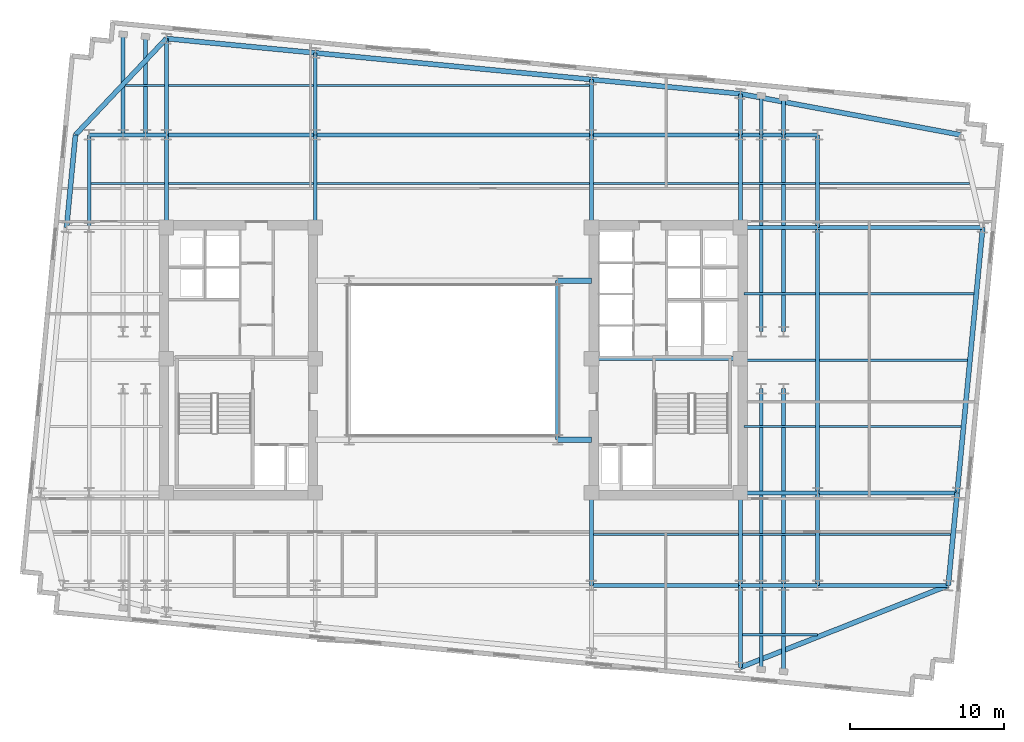
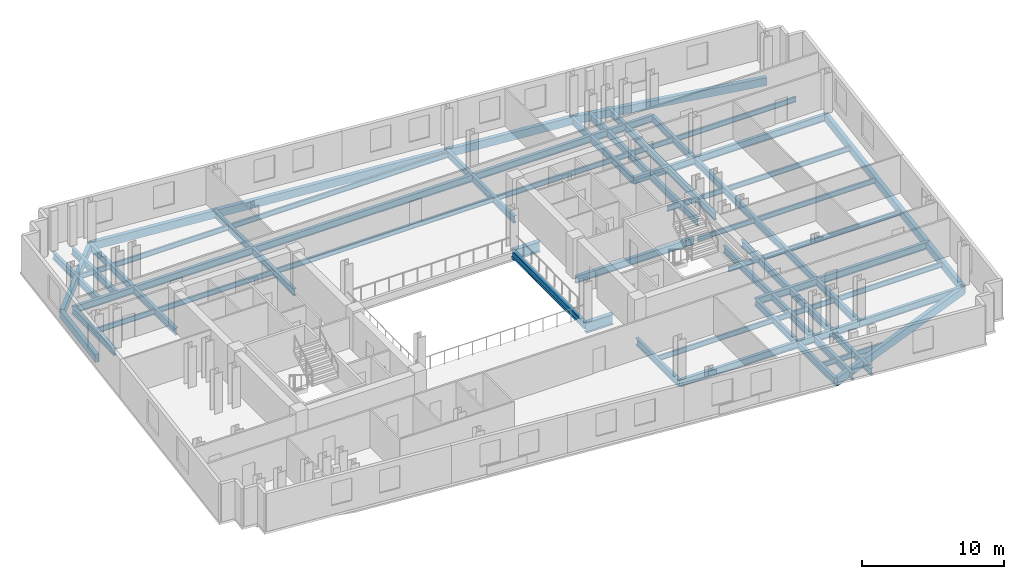
# One storey, part 2 of 9: 69 beams.
"""IFC4 building model written with IfcOpenShell, lengths in metres."""

from ifc_helpers import new_model, si_unit, direction, frame, origin, origin_2d, place, context, subcontext, project, spatial, rectangle, i_section, extrude, material, material_profile, profile_set, type_object, element, save


model = new_model("IFC4")

# Units and contexts
model_context = context("Model", 3, precision=1e-05, world=origin(), true_north=direction((0.0, 1.0)))
body_context = subcontext(model_context, "Body", "Model", "MODEL_VIEW")
ifc_project = project(units=[si_unit("LENGTHUNIT", "METRE"), si_unit("AREAUNIT", "SQUARE_METRE"), si_unit("VOLUMEUNIT", "CUBIC_METRE"), si_unit("PLANEANGLEUNIT", "RADIAN"), si_unit("MASSUNIT", "GRAM", prefix="KILO")], contexts=[model_context])

# Site, building, storey
site_placement = place(None, origin())
site = spatial("IfcSite", under=ifc_project, at=site_placement, CompositionType="ELEMENT")
building_placement = place(site_placement, origin())
building = spatial("IfcBuilding", under=site, at=building_placement, Name="Velakula Bourse", CompositionType="ELEMENT")
storey_placement = place(building_placement, frame((0.0, 0.0, 167.300048828125)))
storey = spatial("IfcBuildingStorey", under=building, at=storey_placement, Name="L45", CompositionType="ELEMENT", Elevation=167.300048828125)

# Beams
ifc_material_1 = material(Name="Steel IS 2062 Grade 350 (E350)", Category="steel")
ifc_material_profile_1 = material_profile(ifc_material_1, i_section(OverallWidth=0.25, OverallDepth=0.60009765625, WebThickness=0.01123046875, FlangeThickness=0.021240234375, at=origin_2d()), Name="Steel IS 2062 Grade 350 (E350)")
ifc_profile_set_1 = profile_set([ifc_material_profile_1], Name="Steel IS 2062 Grade 350 (E350)")
beam_type_1 = type_object("IfcBeamType", Name="BM-GRD-600M", PredefinedType="BEAM", material=ifc_profile_set_1)
beam_1_placement = place(storey_placement, frame((8.949951171875, 0.10009765625, -0.47998046875), z_axis=(1.0, 0.0, 0.0), x_axis=(0.0, 1.0, 0.0)))
element("IfcBeam", 1, at=beam_1_placement, inside=storey, type_object=beam_type_1, Name="L45 Primary Backbone Girder CRE-M", PredefinedType="BEAM", context=body_context, shape_type="SweptSolid", body=[
    extrude(i_section(OverallWidth=0.25, OverallDepth=0.60009765625, WebThickness=0.01123046875, FlangeThickness=0.021240234375, at=origin_2d()), origin(), (0.0, 0.0, 1.0), 9.650146484375),
])
beam_2_placement = place(storey_placement, frame((6.75, -5.14990234375, -0.47998046875), z_axis=(0.0, 1.0, 0.0), x_axis=(-1.0, 0.0, 0.0)))
element("IfcBeam", 2, at=beam_2_placement, inside=storey, type_object=beam_type_1, Name="L45 Primary Backbone Girder SPN-E", PredefinedType="BEAM", context=body_context, shape_type="SweptSolid", body=[
    extrude(i_section(OverallWidth=0.25, OverallDepth=0.60009765625, WebThickness=0.01123046875, FlangeThickness=0.021240234375, at=origin_2d()), origin(), (0.0, 0.0, 1.0), 10.2998046875),
])
for number, where, z_axis, x_axis, name in (
    (3, (-18.60009765625, 8.60009765625, -0.47998046875), (0.0, 1.0, 0.0), (-1.0, 0.0, 0.0), "L45 Fulcrum Grid Girder FLC-WN"),
    (4, (-8.949951171875, 8.60009765625, -0.47998046875), (0.0, 1.0, 0.0), (-1.0, 0.0, 0.0), "L45 Fulcrum Grid Girder FLC-WCN"),
    (5, (8.949951171875, -14.60009765625, -0.47998046875), (0.0, 1.0, 0.0), (-1.0, 0.0, 0.0), "L45 Fulcrum Grid Girder FLC-ECS"),
    (6, (8.949951171875, 8.60009765625, -0.47998046875), (0.0, 1.0, 0.0), (-1.0, 0.0, 0.0), "L45 Fulcrum Grid Girder FLC-ECN"),
    (7, (18.60009765625, -14.60009765625, -0.47998046875), (0.0, 1.0, 0.0), (-1.0, 0.0, 0.0), "L45 Fulcrum Grid Girder FLC-ES"),
    (8, (18.60009765625, 8.60009765625, -0.47998046875), (0.0, 1.0, 0.0), (-1.0, 0.0, 0.0), "L45 Fulcrum Grid Girder FLC-EN"),
):
    element("IfcBeam", number, at=place(storey_placement, frame(where, z_axis=z_axis, x_axis=x_axis)), inside=storey, type_object=beam_type_1, Name=name, PredefinedType="BEAM", context=body_context, shape_type="SweptSolid", body=[
        extrude(i_section(OverallWidth=0.25, OverallDepth=0.60009765625, WebThickness=0.01123046875, FlangeThickness=0.021240234375, at=origin_2d()), origin(), (0.0, 0.0, 1.0), 6.0),
    ])
for number, where, z_axis, x_axis, name in (
    (9, (8.949951171875, -14.60009765625, -0.47998046875), (1.0, 0.0, 0.0), (0.0, 1.0, 0.0), "L45 Fulcrum Grid Girder FLC-S3"),
    (10, (-18.60009765625, 14.60009765625, -0.47998046875), (1.0, 0.0, 0.0), (0.0, 1.0, 0.0), "L45 Fulcrum Grid Girder FLC-N1"),
):
    element("IfcBeam", number, at=place(storey_placement, frame(where, z_axis=z_axis, x_axis=x_axis)), inside=storey, type_object=beam_type_1, Name=name, PredefinedType="BEAM", context=body_context, shape_type="SweptSolid", body=[
        extrude(i_section(OverallWidth=0.25, OverallDepth=0.60009765625, WebThickness=0.01123046875, FlangeThickness=0.021240234375, at=origin_2d()), origin(), (0.0, 0.0, 1.0), 9.650146484375),
    ])
beam_3_placement = place(storey_placement, frame((-8.949951171875, 14.60009765625, -0.47998046875), z_axis=(1.0, 0.0, 0.0), x_axis=(0.0, 1.0, 0.0)))
element("IfcBeam", 11, at=beam_3_placement, inside=storey, type_object=beam_type_1, Name="L45 Fulcrum Grid Girder FLC-N2", PredefinedType="BEAM", context=body_context, shape_type="SweptSolid", body=[
    extrude(i_section(OverallWidth=0.25, OverallDepth=0.60009765625, WebThickness=0.01123046875, FlangeThickness=0.021240234375, at=origin_2d()), origin(), (0.0, 0.0, 1.0), 17.89990234375),
])
beam_4_placement = place(storey_placement, frame((8.949951171875, 14.60009765625, -0.47998046875), z_axis=(1.0, 0.0, 0.0), x_axis=(0.0, 1.0, 0.0)))
element("IfcBeam", 12, at=beam_4_placement, inside=storey, type_object=beam_type_1, Name="L45 Fulcrum Grid Girder FLC-N3", PredefinedType="BEAM", context=body_context, shape_type="SweptSolid", body=[
    extrude(i_section(OverallWidth=0.25, OverallDepth=0.60009765625, WebThickness=0.01123046875, FlangeThickness=0.021240234375, at=origin_2d()), origin(), (0.0, 0.0, 1.0), 9.650146484375),
])
for number, where, z_axis, x_axis, name in (
    (13, (19.949951171875, -14.60009765625, -0.47998046875), (0.0, 1.0, 0.0), (-1.0, 0.0, 0.0), "L45 Fulcrum Grid Girder FLC-PSE1"),
    (14, (19.949951171875, 1.85009765625, -0.47998046875), (0.0, 1.0, 0.0), (-1.0, 0.0, 0.0), "L45 Fulcrum Grid Girder FLC-PNE1"),
    (15, (21.39990234375, -14.60009765625, -0.47998046875), (0.0, 1.0, 0.0), (-1.0, 0.0, 0.0), "L45 Fulcrum Grid Girder FLC-PSE2"),
    (16, (21.39990234375, 1.85009765625, -0.47998046875), (0.0, 1.0, 0.0), (-1.0, 0.0, 0.0), "L45 Fulcrum Grid Girder FLC-PNE2"),
):
    element("IfcBeam", number, at=place(storey_placement, frame(where, z_axis=z_axis, x_axis=x_axis)), inside=storey, type_object=beam_type_1, Name=name, PredefinedType="BEAM", context=body_context, shape_type="SweptSolid", body=[
        extrude(i_section(OverallWidth=0.25, OverallDepth=0.60009765625, WebThickness=0.01123046875, FlangeThickness=0.021240234375, at=origin_2d()), origin(), (0.0, 0.0, 1.0), 12.75),
    ])
beam_5_placement = place(storey_placement, frame((-23.60009765625, 14.60009765625, -0.47998046875), z_axis=(1.0, 0.0, 0.0), x_axis=(0.0, 1.0, 0.0)))
element("IfcBeam", 17, at=beam_5_placement, inside=storey, type_object=beam_type_1, Name="L45 Fulcrum Grid Girder MWG-WN2", PredefinedType="BEAM", context=body_context, shape_type="SweptSolid", body=[
    extrude(i_section(OverallWidth=0.25, OverallDepth=0.60009765625, WebThickness=0.01123046875, FlangeThickness=0.021240234375, at=origin_2d()), origin(), (0.0, 0.0, 1.0), 5.0),
])
beam_6_placement = place(storey_placement, frame((-23.60009765625, 8.60009765625, -0.47998046875), z_axis=(0.0, 1.0, 0.0), x_axis=(-1.0, 0.0, 0.0)))
element("IfcBeam", 18, at=beam_6_placement, inside=storey, type_object=beam_type_1, Name="L45 Fulcrum Grid Girder MWG-WNS3", PredefinedType="BEAM", context=body_context, shape_type="SweptSolid", body=[
    extrude(i_section(OverallWidth=0.25, OverallDepth=0.60009765625, WebThickness=0.01123046875, FlangeThickness=0.021240234375, at=origin_2d()), origin(), (0.0, 0.0, 1.0), 6.0),
])
for number, where, z_axis, x_axis, name in (
    (19, (18.60009765625, -14.60009765625, -0.47998046875), (1.0, 0.0, 0.0), (0.0, 1.0, 0.0), "L45 Fulcrum Grid Girder MWG-ES1"),
    (20, (18.60009765625, -8.60009765625, -0.47998046875), (1.0, 0.0, 0.0), (0.0, 1.0, 0.0), "L45 Fulcrum Grid Girder MWG-ES2"),
    (21, (18.60009765625, 8.60009765625, -0.47998046875), (1.0, 0.0, 0.0), (0.0, 1.0, 0.0), "L45 Fulcrum Grid Girder MWG-EN1"),
    (22, (18.60009765625, 14.60009765625, -0.47998046875), (1.0, 0.0, 0.0), (0.0, 1.0, 0.0), "L45 Fulcrum Grid Girder MWG-EN2"),
):
    element("IfcBeam", number, at=place(storey_placement, frame(where, z_axis=z_axis, x_axis=x_axis)), inside=storey, type_object=beam_type_1, Name=name, PredefinedType="BEAM", context=body_context, shape_type="SweptSolid", body=[
        extrude(i_section(OverallWidth=0.25, OverallDepth=0.60009765625, WebThickness=0.01123046875, FlangeThickness=0.021240234375, at=origin_2d()), origin(), (0.0, 0.0, 1.0), 5.0),
    ])
beam_7_placement = place(storey_placement, frame((23.60009765625, -14.60009765625, -0.47998046875), z_axis=(0.0, 1.0, 0.0), x_axis=(-1.0, 0.0, 0.0)))
element("IfcBeam", 23, at=beam_7_placement, inside=storey, type_object=beam_type_1, Name="L45 Fulcrum Grid Girder MWG-ENS1", PredefinedType="BEAM", context=body_context, shape_type="SweptSolid", body=[
    extrude(i_section(OverallWidth=0.25, OverallDepth=0.60009765625, WebThickness=0.01123046875, FlangeThickness=0.021240234375, at=origin_2d()), origin(), (0.0, 0.0, 1.0), 6.0),
])
beam_8_placement = place(storey_placement, frame((23.60009765625, -8.60009765625, -0.47998046875), z_axis=(0.0, 1.0, 0.0), x_axis=(-1.0, 0.0, 0.0)))
element("IfcBeam", 24, at=beam_8_placement, inside=storey, type_object=beam_type_1, Name="L45 Fulcrum Grid Girder MWG-ENS2", PredefinedType="BEAM", context=body_context, shape_type="SweptSolid", body=[
    extrude(i_section(OverallWidth=0.25, OverallDepth=0.60009765625, WebThickness=0.01123046875, FlangeThickness=0.021240234375, at=origin_2d()), origin(), (0.0, 0.0, 1.0), 17.2001953125),
])
beam_9_placement = place(storey_placement, frame((23.60009765625, 8.60009765625, -0.47998046875), z_axis=(0.0, 1.0, 0.0), x_axis=(-1.0, 0.0, 0.0)))
element("IfcBeam", 25, at=beam_9_placement, inside=storey, type_object=beam_type_1, Name="L45 Fulcrum Grid Girder MWG-ENS3", PredefinedType="BEAM", context=body_context, shape_type="SweptSolid", body=[
    extrude(i_section(OverallWidth=0.25, OverallDepth=0.60009765625, WebThickness=0.01123046875, FlangeThickness=0.021240234375, at=origin_2d()), origin(), (0.0, 0.0, 1.0), 6.0),
])
beam_10_placement = place(storey_placement, frame((18.60009765625, -14.60009765625, -0.47998046875), z_axis=(0.0, -1.0, 0.0), x_axis=(1.0, 0.0, 0.0)))
element("IfcBeam", 26, at=beam_10_placement, inside=storey, type_object=beam_type_1, Name="L45 Perimeter Tie Girder S4", PredefinedType="BEAM", context=body_context, shape_type="SweptSolid", body=[
    extrude(i_section(OverallWidth=0.25, OverallDepth=0.60009765625, WebThickness=0.01123046875, FlangeThickness=0.021240234375, at=origin_2d()), origin(), (0.0, 0.0, 1.0), 5.310546875),
])
beam_11_placement = place(storey_placement, frame((-18.60009765625, 14.60009765625, -0.47998046875), z_axis=(0.0, 1.0, 0.0), x_axis=(-1.0, 0.0, 0.0)))
element("IfcBeam", 27, at=beam_11_placement, inside=storey, type_object=beam_type_1, Name="L45 Perimeter Tie Girder N1", PredefinedType="BEAM", context=body_context, shape_type="SweptSolid", body=[
    extrude(i_section(OverallWidth=0.25, OverallDepth=0.60009765625, WebThickness=0.01123046875, FlangeThickness=0.021240234375, at=origin_2d()), origin(), (0.0, 0.0, 1.0), 6.2421875),
])
beam_12_placement = place(storey_placement, frame((-8.949951171875, 14.60009765625, -0.47998046875), z_axis=(0.0, 1.0, 0.0), x_axis=(-1.0, 0.0, 0.0)))
element("IfcBeam", 28, at=beam_12_placement, inside=storey, type_object=beam_type_1, Name="L45 Perimeter Tie Girder N2", PredefinedType="BEAM", context=body_context, shape_type="SweptSolid", body=[
    extrude(i_section(OverallWidth=0.25, OverallDepth=0.60009765625, WebThickness=0.01123046875, FlangeThickness=0.021240234375, at=origin_2d()), origin(), (0.0, 0.0, 1.0), 5.31298828125),
])
beam_13_placement = place(storey_placement, frame((8.949951171875, 14.60009765625, -0.47998046875), z_axis=(0.0, 1.0, 0.0), x_axis=(-1.0, 0.0, 0.0)))
element("IfcBeam", 29, at=beam_13_placement, inside=storey, type_object=beam_type_1, Name="L45 Perimeter Tie Girder N3", PredefinedType="BEAM", context=body_context, shape_type="SweptSolid", body=[
    extrude(i_section(OverallWidth=0.25, OverallDepth=0.60009765625, WebThickness=0.01123046875, FlangeThickness=0.021240234375, at=origin_2d()), origin(), (0.0, 0.0, 1.0), 3.589599609375),
])
beam_14_placement = place(storey_placement, frame((18.60009765625, 14.60009765625, -0.47998046875), z_axis=(0.0, 1.0, 0.0), x_axis=(-1.0, 0.0, 0.0)))
element("IfcBeam", 30, at=beam_14_placement, inside=storey, type_object=beam_type_1, Name="L45 Perimeter Tie Girder N4", PredefinedType="BEAM", context=body_context, shape_type="SweptSolid", body=[
    extrude(i_section(OverallWidth=0.25, OverallDepth=0.60009765625, WebThickness=0.01123046875, FlangeThickness=0.021240234375, at=origin_2d()), origin(), (0.0, 0.0, 1.0), 2.660400390625),
])
beam_15_placement = place(storey_placement, frame((23.60009765625, -14.60009765625, -0.47998046875), z_axis=(1.0, 0.0, 0.0), x_axis=(0.0, 1.0, 0.0)))
element("IfcBeam", 31, at=beam_15_placement, inside=storey, type_object=beam_type_1, Name="L45 Perimeter Tie Girder E1", PredefinedType="BEAM", context=body_context, shape_type="SweptSolid", body=[
    extrude(i_section(OverallWidth=0.25, OverallDepth=0.60009765625, WebThickness=0.01123046875, FlangeThickness=0.021240234375, at=origin_2d()), origin(), (0.0, 0.0, 1.0), 8.47119140625),
])
beam_16_placement = place(storey_placement, frame((23.60009765625, -8.60009765625, -0.47998046875), z_axis=(1.0, 0.0, 0.0), x_axis=(0.0, 1.0, 0.0)))
element("IfcBeam", 32, at=beam_16_placement, inside=storey, type_object=beam_type_1, Name="L45 Perimeter Tie Girder E2", PredefinedType="BEAM", context=body_context, shape_type="SweptSolid", body=[
    extrude(i_section(OverallWidth=0.25, OverallDepth=0.60009765625, WebThickness=0.01123046875, FlangeThickness=0.021240234375, at=origin_2d()), origin(), (0.0, 0.0, 1.0), 9.048828125),
])
beam_17_placement = place(storey_placement, frame((23.60009765625, 8.60009765625, -0.47998046875), z_axis=(1.0, 0.0, 0.0), x_axis=(0.0, 1.0, 0.0)))
element("IfcBeam", 33, at=beam_17_placement, inside=storey, type_object=beam_type_1, Name="L45 Perimeter Tie Girder E3", PredefinedType="BEAM", context=body_context, shape_type="SweptSolid", body=[
    extrude(i_section(OverallWidth=0.25, OverallDepth=0.60009765625, WebThickness=0.01123046875, FlangeThickness=0.021240234375, at=origin_2d()), origin(), (0.0, 0.0, 1.0), 10.705078125),
])
beam_18_placement = place(storey_placement, frame((19.949951171875, -14.60009765625, -0.47998046875), z_axis=(0.0, -1.0, 0.0), x_axis=(1.0, 0.0, 0.0)))
element("IfcBeam", 34, at=beam_18_placement, inside=storey, type_object=beam_type_1, Name="L45 Perimeter Tie Girder P03", PredefinedType="BEAM", context=body_context, shape_type="SweptSolid", body=[
    extrude(i_section(OverallWidth=0.25, OverallDepth=0.60009765625, WebThickness=0.01123046875, FlangeThickness=0.021240234375, at=origin_2d()), origin(), (0.0, 0.0, 1.0), 5.4404296875),
])
beam_19_placement = place(storey_placement, frame((21.39990234375, -14.60009765625, -0.47998046875), z_axis=(0.0, -1.0, 0.0), x_axis=(1.0, 0.0, 0.0)))
element("IfcBeam", 35, at=beam_19_placement, inside=storey, type_object=beam_type_1, Name="L45 Perimeter Tie Girder P04", PredefinedType="BEAM", context=body_context, shape_type="SweptSolid", body=[
    extrude(i_section(OverallWidth=0.25, OverallDepth=0.60009765625, WebThickness=0.01123046875, FlangeThickness=0.021240234375, at=origin_2d()), origin(), (0.0, 0.0, 1.0), 5.580322265625),
])
beam_20_placement = place(storey_placement, frame((-21.39990234375, 14.60009765625, -0.47998046875), z_axis=(0.0, 1.0, 0.0), x_axis=(-1.0, 0.0, 0.0)))
element("IfcBeam", 36, at=beam_20_placement, inside=storey, type_object=beam_type_1, Name="L45 Perimeter Tie Girder P05", PredefinedType="BEAM", context=body_context, shape_type="SweptSolid", body=[
    extrude(i_section(OverallWidth=0.25, OverallDepth=0.60009765625, WebThickness=0.01123046875, FlangeThickness=0.021240234375, at=origin_2d()), origin(), (0.0, 0.0, 1.0), 6.511962890625),
])
beam_21_placement = place(storey_placement, frame((-19.949951171875, 14.60009765625, -0.47998046875), z_axis=(0.0, 1.0, 0.0), x_axis=(-1.0, 0.0, 0.0)))
element("IfcBeam", 37, at=beam_21_placement, inside=storey, type_object=beam_type_1, Name="L45 Perimeter Tie Girder P06", PredefinedType="BEAM", context=body_context, shape_type="SweptSolid", body=[
    extrude(i_section(OverallWidth=0.25, OverallDepth=0.60009765625, WebThickness=0.01123046875, FlangeThickness=0.021240234375, at=origin_2d()), origin(), (0.0, 0.0, 1.0), 6.372314453125),
])
beam_22_placement = place(storey_placement, frame((19.949951171875, 14.60009765625, -0.47998046875), z_axis=(0.0, 1.0, 0.0), x_axis=(-1.0, 0.0, 0.0)))
element("IfcBeam", 38, at=beam_22_placement, inside=storey, type_object=beam_type_1, Name="L45 Perimeter Tie Girder P07", PredefinedType="BEAM", context=body_context, shape_type="SweptSolid", body=[
    extrude(i_section(OverallWidth=0.25, OverallDepth=0.60009765625, WebThickness=0.01123046875, FlangeThickness=0.021240234375, at=origin_2d()), origin(), (0.0, 0.0, 1.0), 2.530517578125),
])
beam_23_placement = place(storey_placement, frame((21.39990234375, 14.60009765625, -0.47998046875), z_axis=(0.0, 1.0, 0.0), x_axis=(-1.0, 0.0, 0.0)))
element("IfcBeam", 39, at=beam_23_placement, inside=storey, type_object=beam_type_1, Name="L45 Perimeter Tie Girder P08", PredefinedType="BEAM", context=body_context, shape_type="SweptSolid", body=[
    extrude(i_section(OverallWidth=0.25, OverallDepth=0.60009765625, WebThickness=0.01123046875, FlangeThickness=0.021240234375, at=origin_2d()), origin(), (0.0, 0.0, 1.0), 2.390869140625),
])
ifc_material_profile_2 = material_profile(ifc_material_1, i_section(OverallWidth=0.35009765625, OverallDepth=0.89990234375, WebThickness=0.02001953125, FlangeThickness=0.031982421875, at=origin_2d()), Name="Steel IS 2062 Grade 350 (E350)")
ifc_profile_set_2 = profile_set([ifc_material_profile_2], Name="Steel IS 2062 Grade 350 (E350)")
beam_type_2 = type_object("IfcBeamType", Name="BM-LNK-900", PredefinedType="BEAM", material=ifc_profile_set_2)
for number, where, z_axis, x_axis, name in (
    (40, (6.75, -5.14990234375, -0.630126953125), (1.0, 0.0, 0.0), (0.0, 1.0, 0.0), "L45 Primary Backbone Girder LNK-S3"),
    (41, (6.75, 5.14990234375, -0.630126953125), (1.0, 0.0, 0.0), (0.0, 1.0, 0.0), "L45 Primary Backbone Girder LNK-N3"),
):
    element("IfcBeam", number, at=place(storey_placement, frame(where, z_axis=z_axis, x_axis=x_axis)), inside=storey, type_object=beam_type_2, Name=name, PredefinedType="BEAM", context=body_context, shape_type="SweptSolid", body=[
        extrude(i_section(OverallWidth=0.35009765625, OverallDepth=0.89990234375, WebThickness=0.02001953125, FlangeThickness=0.031982421875, at=origin_2d()), origin(), (0.0, 0.0, 1.0), 2.199951171875),
    ])
ifc_material_profile_3 = material_profile(ifc_material_1, i_section(OverallWidth=0.14990234375, OverallDepth=0.449951171875, WebThickness=0.009521484375, FlangeThickness=0.017333984375, at=origin_2d()), Name="Steel IS 2062 Grade 350 (E350)")
ifc_profile_set_3 = profile_set([ifc_material_profile_3], Name="Steel IS 2062 Grade 350 (E350)")
beam_type_3 = type_object("IfcBeamType", Name="JST-TWR-450", PredefinedType="JOIST", material=ifc_profile_set_3)
beam_24_placement = place(storey_placement, frame((18.72509765625, -17.800048828125, -0.405029296875), z_axis=(1.0, 0.0, 0.0), x_axis=(0.0, 1.0, 0.0)))
element("IfcBeam", 42, at=beam_24_placement, inside=storey, type_object=beam_type_3, Name="L45 Trading Floor Composite Joist 03", PredefinedType="JOIST", context=body_context, shape_type="SweptSolid", body=[
    extrude(i_section(OverallWidth=0.14990234375, OverallDepth=0.449951171875, WebThickness=0.009521484375, FlangeThickness=0.017333984375, at=origin_2d()), origin(), (0.0, 0.0, 1.0), 4.875),
])
beam_25_placement = place(storey_placement, frame((9.074951171875, -11.300048828125, -0.405029296875), z_axis=(1.0, 0.0, 0.0), x_axis=(0.0, 1.0, 0.0)))
element("IfcBeam", 43, at=beam_25_placement, inside=storey, type_object=beam_type_3, Name="L45 Trading Floor Composite Joist 08", PredefinedType="JOIST", context=body_context, shape_type="SweptSolid", body=[
    extrude(i_section(OverallWidth=0.14990234375, OverallDepth=0.449951171875, WebThickness=0.009521484375, FlangeThickness=0.017333984375, at=origin_2d()), origin(), (0.0, 0.0, 1.0), 9.400146484375),
])
beam_26_placement = place(storey_placement, frame((18.72509765625, -11.300048828125, -0.405029296875), z_axis=(1.0, 0.0, 0.0), x_axis=(0.0, 1.0, 0.0)))
element("IfcBeam", 44, at=beam_26_placement, inside=storey, type_object=beam_type_3, Name="L45 Trading Floor Composite Joist 09", PredefinedType="JOIST", context=body_context, shape_type="SweptSolid", body=[
    extrude(i_section(OverallWidth=0.14990234375, OverallDepth=0.449951171875, WebThickness=0.009521484375, FlangeThickness=0.017333984375, at=origin_2d()), origin(), (0.0, 0.0, 1.0), 4.75),
])
beam_27_placement = place(storey_placement, frame((23.72509765625, -11.300048828125, -0.405029296875), z_axis=(1.0, 0.0, 0.0), x_axis=(0.0, 1.0, 0.0)))
element("IfcBeam", 45, at=beam_27_placement, inside=storey, type_object=beam_type_3, Name="L45 Trading Floor Composite Joist 10", PredefinedType="JOIST", context=body_context, shape_type="SweptSolid", body=[
    extrude(i_section(OverallWidth=0.14990234375, OverallDepth=0.449951171875, WebThickness=0.009521484375, FlangeThickness=0.017333984375, at=origin_2d()), origin(), (0.0, 0.0, 1.0), 8.503173828125),
])
beam_28_placement = place(storey_placement, frame((-23.47509765625, 11.449951171875, -0.405029296875), z_axis=(1.0, 0.0, 0.0), x_axis=(0.0, 1.0, 0.0)))
element("IfcBeam", 46, at=beam_28_placement, inside=storey, type_object=beam_type_3, Name="L45 Trading Floor Composite Joist 11", PredefinedType="JOIST", context=body_context, shape_type="SweptSolid", body=[
    extrude(i_section(OverallWidth=0.14990234375, OverallDepth=0.449951171875, WebThickness=0.009521484375, FlangeThickness=0.017333984375, at=origin_2d()), origin(), (0.0, 0.0, 1.0), 4.75),
])
beam_29_placement = place(storey_placement, frame((-18.47509765625, 11.449951171875, -0.405029296875), z_axis=(1.0, 0.0, 0.0), x_axis=(0.0, 1.0, 0.0)))
element("IfcBeam", 47, at=beam_29_placement, inside=storey, type_object=beam_type_3, Name="L45 Trading Floor Composite Joist 12", PredefinedType="JOIST", context=body_context, shape_type="SweptSolid", body=[
    extrude(i_section(OverallWidth=0.14990234375, OverallDepth=0.449951171875, WebThickness=0.009521484375, FlangeThickness=0.017333984375, at=origin_2d()), origin(), (0.0, 0.0, 1.0), 9.400146484375),
])
beam_30_placement = place(storey_placement, frame((-8.824951171875, 11.449951171875, -0.405029296875), z_axis=(1.0, 0.0, 0.0), x_axis=(0.0, 1.0, 0.0)))
element("IfcBeam", 48, at=beam_30_placement, inside=storey, type_object=beam_type_3, Name="L45 Trading Floor Composite Joist 13", PredefinedType="JOIST", context=body_context, shape_type="SweptSolid", body=[
    extrude(i_section(OverallWidth=0.14990234375, OverallDepth=0.449951171875, WebThickness=0.009521484375, FlangeThickness=0.017333984375, at=origin_2d()), origin(), (0.0, 0.0, 1.0), 17.64990234375),
])
beam_31_placement = place(storey_placement, frame((9.074951171875, 11.449951171875, -0.405029296875), z_axis=(1.0, 0.0, 0.0), x_axis=(0.0, 1.0, 0.0)))
element("IfcBeam", 49, at=beam_31_placement, inside=storey, type_object=beam_type_3, Name="L45 Trading Floor Composite Joist 14", PredefinedType="JOIST", context=body_context, shape_type="SweptSolid", body=[
    extrude(i_section(OverallWidth=0.14990234375, OverallDepth=0.449951171875, WebThickness=0.009521484375, FlangeThickness=0.017333984375, at=origin_2d()), origin(), (0.0, 0.0, 1.0), 9.400146484375),
])
beam_32_placement = place(storey_placement, frame((18.72509765625, 11.449951171875, -0.405029296875), z_axis=(1.0, 0.0, 0.0), x_axis=(0.0, 1.0, 0.0)))
element("IfcBeam", 50, at=beam_32_placement, inside=storey, type_object=beam_type_3, Name="L45 Trading Floor Composite Joist 15", PredefinedType="JOIST", context=body_context, shape_type="SweptSolid", body=[
    extrude(i_section(OverallWidth=0.14990234375, OverallDepth=0.449951171875, WebThickness=0.009521484375, FlangeThickness=0.017333984375, at=origin_2d()), origin(), (0.0, 0.0, 1.0), 4.75),
])
beam_33_placement = place(storey_placement, frame((23.72509765625, 11.449951171875, -0.405029296875), z_axis=(1.0, 0.0, 0.0), x_axis=(0.0, 1.0, 0.0)))
element("IfcBeam", 51, at=beam_33_placement, inside=storey, type_object=beam_type_3, Name="L45 Trading Floor Composite Joist 16", PredefinedType="JOIST", context=body_context, shape_type="SweptSolid", body=[
    extrude(i_section(OverallWidth=0.14990234375, OverallDepth=0.449951171875, WebThickness=0.009521484375, FlangeThickness=0.017333984375, at=origin_2d()), origin(), (0.0, 0.0, 1.0), 9.735595703125),
])
beam_34_placement = place(storey_placement, frame((-21.2509765625, 17.800048828125, -0.405029296875), z_axis=(1.0, 0.0, 0.0), x_axis=(0.0, 1.0, 0.0)))
element("IfcBeam", 52, at=beam_34_placement, inside=storey, type_object=beam_type_3, Name="L45 Trading Floor Composite Joist 17", PredefinedType="JOIST", context=body_context, shape_type="SweptSolid", body=[
    extrude(i_section(OverallWidth=0.14990234375, OverallDepth=0.449951171875, WebThickness=0.009521484375, FlangeThickness=0.017333984375, at=origin_2d()), origin(), (0.0, 0.0, 1.0), 2.52587890625),
])
beam_35_placement = place(storey_placement, frame((-18.47509765625, 17.800048828125, -0.405029296875), z_axis=(1.0, 0.0, 0.0), x_axis=(0.0, 1.0, 0.0)))
element("IfcBeam", 53, at=beam_35_placement, inside=storey, type_object=beam_type_3, Name="L45 Trading Floor Composite Joist 18", PredefinedType="JOIST", context=body_context, shape_type="SweptSolid", body=[
    extrude(i_section(OverallWidth=0.14990234375, OverallDepth=0.449951171875, WebThickness=0.009521484375, FlangeThickness=0.017333984375, at=origin_2d()), origin(), (0.0, 0.0, 1.0), 9.400146484375),
])
beam_36_placement = place(storey_placement, frame((-8.824951171875, 17.800048828125, -0.405029296875), z_axis=(1.0, 0.0, 0.0), x_axis=(0.0, 1.0, 0.0)))
element("IfcBeam", 54, at=beam_36_placement, inside=storey, type_object=beam_type_3, Name="L45 Trading Floor Composite Joist 19", PredefinedType="JOIST", context=body_context, shape_type="SweptSolid", body=[
    extrude(i_section(OverallWidth=0.14990234375, OverallDepth=0.449951171875, WebThickness=0.009521484375, FlangeThickness=0.017333984375, at=origin_2d()), origin(), (0.0, 0.0, 1.0), 17.64990234375),
])
beam_37_placement = place(storey_placement, frame((18.85009765625, -4.300048828125, -0.405029296875), z_axis=(1.0, 0.0, 0.0), x_axis=(0.0, 1.0, 0.0)))
element("IfcBeam", 55, at=beam_37_placement, inside=storey, type_object=beam_type_3, Name="L45 Trading Floor Composite Joist 23", PredefinedType="JOIST", context=body_context, shape_type="SweptSolid", body=[
    extrude(i_section(OverallWidth=0.14990234375, OverallDepth=0.449951171875, WebThickness=0.009521484375, FlangeThickness=0.017333984375, at=origin_2d()), origin(), (0.0, 0.0, 1.0), 4.625),
])
beam_38_placement = place(storey_placement, frame((23.72509765625, -4.300048828125, -0.405029296875), z_axis=(1.0, 0.0, 0.0), x_axis=(0.0, 1.0, 0.0)))
element("IfcBeam", 56, at=beam_38_placement, inside=storey, type_object=beam_type_3, Name="L45 Trading Floor Composite Joist 24", PredefinedType="JOIST", context=body_context, shape_type="SweptSolid", body=[
    extrude(i_section(OverallWidth=0.14990234375, OverallDepth=0.449951171875, WebThickness=0.009521484375, FlangeThickness=0.017333984375, at=origin_2d()), origin(), (0.0, 0.0, 1.0), 9.17724609375),
])
beam_39_placement = place(storey_placement, frame((18.85009765625, 0.0, -0.405029296875), z_axis=(1.0, 0.0, 0.0), x_axis=(0.0, 1.0, 0.0)))
element("IfcBeam", 57, at=beam_39_placement, inside=storey, type_object=beam_type_3, Name="L45 Trading Floor Composite Joist 27", PredefinedType="JOIST", context=body_context, shape_type="SweptSolid", body=[
    extrude(i_section(OverallWidth=0.14990234375, OverallDepth=0.449951171875, WebThickness=0.009521484375, FlangeThickness=0.017333984375, at=origin_2d()), origin(), (0.0, 0.0, 1.0), 4.625),
])
beam_40_placement = place(storey_placement, frame((23.72509765625, 0.0, -0.405029296875), z_axis=(1.0, 0.0, 0.0), x_axis=(0.0, 1.0, 0.0)))
element("IfcBeam", 58, at=beam_40_placement, inside=storey, type_object=beam_type_3, Name="L45 Trading Floor Composite Joist 28", PredefinedType="JOIST", context=body_context, shape_type="SweptSolid", body=[
    extrude(i_section(OverallWidth=0.14990234375, OverallDepth=0.449951171875, WebThickness=0.009521484375, FlangeThickness=0.017333984375, at=origin_2d()), origin(), (0.0, 0.0, 1.0), 9.59130859375),
])
beam_41_placement = place(storey_placement, frame((18.85009765625, 4.300048828125, -0.405029296875), z_axis=(1.0, 0.0, 0.0), x_axis=(0.0, 1.0, 0.0)))
element("IfcBeam", 59, at=beam_41_placement, inside=storey, type_object=beam_type_3, Name="L45 Trading Floor Composite Joist 30", PredefinedType="JOIST", context=body_context, shape_type="SweptSolid", body=[
    extrude(i_section(OverallWidth=0.14990234375, OverallDepth=0.449951171875, WebThickness=0.009521484375, FlangeThickness=0.017333984375, at=origin_2d()), origin(), (0.0, 0.0, 1.0), 4.625),
])
beam_42_placement = place(storey_placement, frame((23.72509765625, 4.300048828125, -0.405029296875), z_axis=(1.0, 0.0, 0.0), x_axis=(0.0, 1.0, 0.0)))
element("IfcBeam", 60, at=beam_42_placement, inside=storey, type_object=beam_type_3, Name="L45 Trading Floor Composite Joist 31", PredefinedType="JOIST", context=body_context, shape_type="SweptSolid", body=[
    extrude(i_section(OverallWidth=0.14990234375, OverallDepth=0.449951171875, WebThickness=0.009521484375, FlangeThickness=0.017333984375, at=origin_2d()), origin(), (0.0, 0.0, 1.0), 10.005126953125),
])
ifc_material_2 = material(Name="Precast concrete M45 (fck 45 MPa)", Category="concrete")
ifc_material_profile_4 = material_profile(ifc_material_2, rectangle(XDim=0.320068359375, YDim=0.679931640625, at=origin_2d()), Name="Precast concrete M45 (fck 45 MPa)")
ifc_profile_set_4 = profile_set([ifc_material_profile_4], Name="Precast concrete M45 (fck 45 MPa)")
beam_type_4 = type_object("IfcBeamType", Name="SPN-BRICK-680", PredefinedType="SPANDREL", material=ifc_profile_set_4)
beam_43_placement = place(storey_placement, frame((-18.60009765625, 20.84228515625, -0.52001953125), z_axis=(0.99539623971, -0.095845323155, 0.0), x_axis=(0.095845323155, 0.99539623971, 0.0)))
element("IfcBeam", 61, at=beam_43_placement, inside=storey, type_object=beam_type_4, Name="L45 Brick-Faced Precast Spandrel N1-N2", PredefinedType="SPANDREL", context=body_context, shape_type="SweptSolid", body=[
    extrude(rectangle(XDim=0.320068359375, YDim=0.679931640625, at=origin_2d()), origin(), (0.0, 0.0, 1.0), 9.69482421875),
])
beam_44_placement = place(storey_placement, frame((-8.949951171875, 19.9130859375, -0.52001953125), z_axis=(0.995397131467, -0.095836061418, 0.0), x_axis=(0.095836061418, 0.995397131467, 0.0)))
element("IfcBeam", 62, at=beam_44_placement, inside=storey, type_object=beam_type_4, Name="L45 Brick-Faced Precast Spandrel N2-N3", PredefinedType="SPANDREL", context=body_context, shape_type="SweptSolid", body=[
    extrude(rectangle(XDim=0.320068359375, YDim=0.679931640625, at=origin_2d()), origin(), (0.0, 0.0, 1.0), 17.982666015625),
])
beam_45_placement = place(storey_placement, frame((8.949951171875, 18.189697265625, -0.52001953125), z_axis=(0.99539623971, -0.095845323155, 0.0), x_axis=(0.095845323155, 0.99539623971, 0.0)))
element("IfcBeam", 63, at=beam_45_placement, inside=storey, type_object=beam_type_4, Name="L45 Brick-Faced Precast Spandrel N3-N4", PredefinedType="SPANDREL", context=body_context, shape_type="SweptSolid", body=[
    extrude(rectangle(XDim=0.320068359375, YDim=0.679931640625, at=origin_2d()), origin(), (0.0, 0.0, 1.0), 9.69482421875),
])
for number, where, z_axis, x_axis, name in (
    (64, (-25.068115234375, 8.60009765625, -0.52001953125), (0.095829714309, 0.995397742541, 0.0), (-0.995397742541, 0.095829714309, 0.0), "L45 Brick-Faced Precast Spandrel W3-W4"),
    (65, (32.0712890625, -14.60009765625, -0.52001953125), (0.095829714309, 0.995397742541, 0.0), (-0.995397742541, 0.095829714309, 0.0), "L45 Brick-Faced Precast Spandrel E1-E2"),
):
    element("IfcBeam", number, at=place(storey_placement, frame(where, z_axis=z_axis, x_axis=x_axis)), inside=storey, type_object=beam_type_4, Name=name, PredefinedType="SPANDREL", context=body_context, shape_type="SweptSolid", body=[
        extrude(rectangle(XDim=0.320068359375, YDim=0.679931640625, at=origin_2d()), origin(), (0.0, 0.0, 1.0), 6.02783203125),
    ])
beam_46_placement = place(storey_placement, frame((32.64892578125, -8.60009765625, -0.52001953125), z_axis=(0.095849167925, 0.995395869495, 0.0), x_axis=(-0.995395869495, 0.095849167925, 0.0)))
element("IfcBeam", 66, at=beam_46_placement, inside=storey, type_object=beam_type_4, Name="L45 Brick-Faced Precast Spandrel E2-E3", PredefinedType="SPANDREL", context=body_context, shape_type="SweptSolid", body=[
    extrude(rectangle(XDim=0.320068359375, YDim=0.679931640625, at=origin_2d()), origin(), (0.0, 0.0, 1.0), 17.27978515625),
])
beam_47_placement = place(storey_placement, frame((18.60009765625, -19.91064453125, -0.52001953125), z_axis=(0.930320901537, 0.366746533949, 0.0), x_axis=(-0.366746533949, 0.930320901537, 0.0)))
element("IfcBeam", 67, at=beam_47_placement, inside=storey, type_object=beam_type_4, Name="L45 Brick-Faced Precast Spandrel S4-E1", PredefinedType="SPANDREL", context=body_context, shape_type="SweptSolid", body=[
    extrude(rectangle(XDim=0.320068359375, YDim=0.679931640625, at=origin_2d()), origin(), (0.0, 0.0, 1.0), 14.480224609375),
])
beam_48_placement = place(storey_placement, frame((32.87353515625, 14.60009765625, -0.52001953125), z_axis=(-0.983069592122, 0.183232576378, 0.0), x_axis=(-0.183232576378, -0.983069592122, 0.0)))
element("IfcBeam", 68, at=beam_48_placement, inside=storey, type_object=beam_type_4, Name="L45 Brick-Faced Precast Spandrel E4-N4", PredefinedType="SPANDREL", context=body_context, shape_type="SweptSolid", body=[
    extrude(rectangle(XDim=0.320068359375, YDim=0.679931640625, at=origin_2d()), origin(), (0.0, 0.0, 1.0), 14.519287109375),
])
beam_49_placement = place(storey_placement, frame((-18.60009765625, 20.84228515625, -0.52001953125), z_axis=(-0.686314417505, -0.727304970645, 0.0), x_axis=(0.727304970645, -0.686314417505, 0.0)))
element("IfcBeam", 69, at=beam_49_placement, inside=storey, type_object=beam_type_4, Name="L45 Brick-Faced Precast Spandrel N1-W4", PredefinedType="SPANDREL", context=body_context, shape_type="SweptSolid", body=[
    extrude(rectangle(XDim=0.320068359375, YDim=0.679931640625, at=origin_2d()), origin(), (0.0, 0.0, 1.0), 8.58251953125),
])

save(model, "model.ifc")
